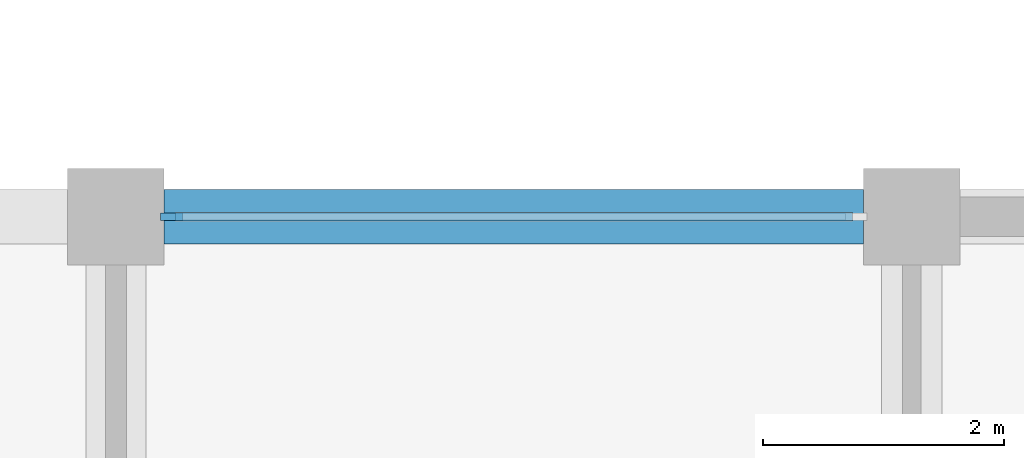
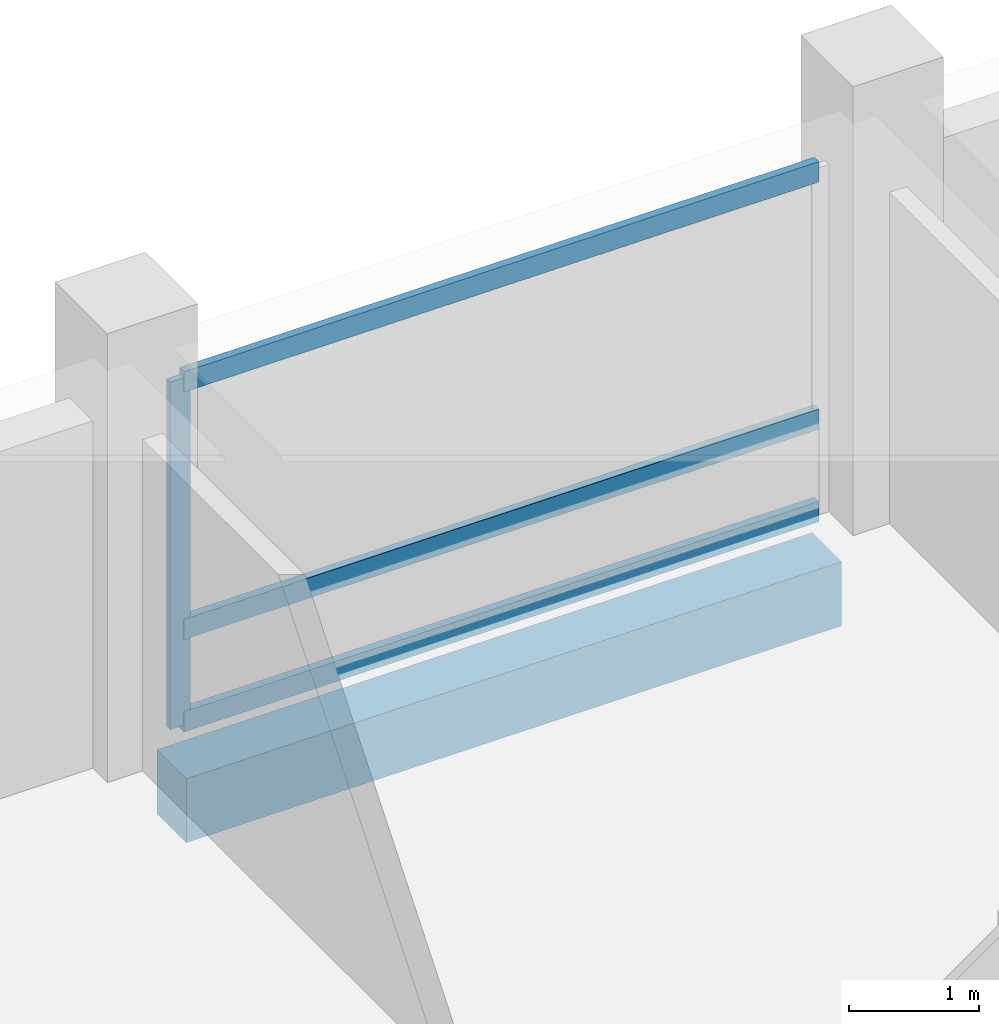
# One storey, part 3 of 30: 4 members, 1 beam, 1 element without a shape of its own.
"""IFC4 building model written with IfcOpenShell, lengths in metres."""

from ifc_helpers import new_model, si_unit, direction, frame, origin, origin_2d, place, context, subcontext, project, spatial, rectangle, extrude, material, material_profile, profile_set, type_object, element, aggregate, save


model = new_model("IFC4")

# Units and contexts
model_context = context("Model", 3, precision=1e-05, world=origin(), true_north=direction((0.0, 1.0)))
body_context = subcontext(model_context, "Body", "Model", "MODEL_VIEW")
ifc_project = project(units=[si_unit("LENGTHUNIT", "METRE"), si_unit("AREAUNIT", "SQUARE_METRE"), si_unit("VOLUMEUNIT", "CUBIC_METRE"), si_unit("PLANEANGLEUNIT", "RADIAN"), si_unit("MASSUNIT", "GRAM", prefix="KILO")], contexts=[model_context])

# Site, building, storey
site_placement = place(None, origin())
site = spatial("IfcSite", under=ifc_project, at=site_placement, CompositionType="ELEMENT")
building_placement = place(site_placement, origin())
building = spatial("IfcBuilding", under=site, at=building_placement, Name="Rusizi Kubbe Research Institute", CompositionType="ELEMENT")
storey_placement = place(building_placement, frame((0.0, 0.0, 10.199951171875)))
storey = spatial("IfcBuildingStorey", under=building, at=storey_placement, Name="L02", CompositionType="ELEMENT", Elevation=10.199951171875)

# Beam
ifc_material_1 = material(Name="Concrete C40/50", Category="concrete")
ifc_material_profile_1 = material_profile(ifc_material_1, rectangle(XDim=0.449951171875, YDim=0.60009765625, at=origin_2d()), Name="RC450x600")
ifc_profile_set_1 = profile_set([ifc_material_profile_1], Name="Concrete C40/50")
beam_type = type_object("IfcBeamType", Name="BM-RC450x600", PredefinedType="SPANDREL", material=ifc_profile_set_1)
beam_placement = place(storey_placement, frame((59.800048828125, 26.39990234375, -0.64990234375), z_axis=(1.0, 0.0, 0.0), x_axis=(0.0, 1.0, 0.0)))
element("IfcBeam", 1, at=beam_placement, inside=storey, type_object=beam_type, Name="Grid Beam H L02 (9,4)", PredefinedType="SPANDREL", context=body_context, shape_type="SweptSolid", body=[
    extrude(rectangle(XDim=0.449951171875, YDim=0.60009765625, at=origin_2d()), origin(), (0.0, 0.0, 1.0), 5.800048828125),
])

# Curtain wall, members
ifc_material_2 = material(Name="Thermally Broken Aluminium and Low-E Glazing", Category="aluminium")
curtain_wall_type = type_object("IfcCurtainWallType", Name="CW-05", PredefinedType="NOTDEFINED", material=ifc_material_2)
curtain_wall_placement = place(storey_placement, origin())
curtain_wall = element("IfcCurtainWall", 2, at=curtain_wall_placement, inside=storey, type_object=curtain_wall_type, Name="Unitised Facade Curtain Wall CW-L02-H-09-04", PredefinedType="NOTDEFINED")
ifc_material_3 = material(Name="Aluminium Alloy 6063-T6", Category="aluminium")
ifc_material_profile_2 = material_profile(ifc_material_3, rectangle(XDim=0.06005859375, YDim=0.179931640625, at=origin_2d()), Name="ALU-M 60x180")
ifc_profile_set_2 = profile_set([ifc_material_profile_2], Name="Aluminium Alloy 6063-T6")
member_type_1 = type_object("IfcMemberType", Name="ML-02", PredefinedType="MULLION", material=ifc_profile_set_2)
member_1_placement = place(storey_placement, frame((59.860107421875, 26.39990234375, 0.0), z_axis=(0.0, 0.0, 1.0), x_axis=(0.0, 1.0, 0.0)))
member_1 = element("IfcMember", 3, at=member_1_placement, type_object=member_type_1, Name="CW-05 mullion 1", PredefinedType="MULLION", context=body_context, shape_type="SweptSolid", body=[
    extrude(rectangle(XDim=0.06005859375, YDim=0.179931640625, at=origin_2d()), origin(), (0.0, 0.0, 1.0), 3.25),
])
ifc_material_4 = material(Name="Aluminium Alloy 6063-T6", Category="aluminium")
ifc_material_profile_3 = material_profile(ifc_material_4, rectangle(XDim=0.070068359375, YDim=0.18994140625, at=origin_2d()), Name="ALU-T 70x190")
ifc_profile_set_3 = profile_set([ifc_material_profile_3], Name="Aluminium Alloy 6063-T6")
member_type_2 = type_object("IfcMemberType", Name="TR-04", PredefinedType="USERDEFINED", material=ifc_profile_set_3)
member_2_placement = place(storey_placement, frame((59.889892578125, 26.39990234375, 0.03515625), z_axis=(1.0, 0.0, 0.0), x_axis=(0.0, 1.0, 0.0)))
member_2 = element("IfcMember", 4, at=member_2_placement, type_object=member_type_2, Name="CW-05 transom 1.1", ObjectType="TRANSOM", PredefinedType="USERDEFINED", context=body_context, shape_type="SweptSolid", body=[
    extrude(rectangle(XDim=0.070068359375, YDim=0.18994140625, at=origin_2d()), origin(), (0.0, 0.0, 1.0), 5.6201171875),
])
member_3_placement = place(storey_placement, frame((59.889892578125, 26.39990234375, 0.900146484375), z_axis=(1.0, 0.0, 0.0), x_axis=(0.0, 1.0, 0.0)))
member_3 = element("IfcMember", 5, at=member_3_placement, type_object=member_type_2, Name="CW-05 transom 1.2", ObjectType="TRANSOM", PredefinedType="USERDEFINED", context=body_context, shape_type="SweptSolid", body=[
    extrude(rectangle(XDim=0.070068359375, YDim=0.18994140625, at=origin_2d()), origin(), (0.0, 0.0, 1.0), 5.6201171875),
])
member_4_placement = place(storey_placement, frame((59.889892578125, 26.39990234375, 3.215087890625), z_axis=(1.0, 0.0, 0.0), x_axis=(0.0, 1.0, 0.0)))
member_4 = element("IfcMember", 6, at=member_4_placement, type_object=member_type_2, Name="CW-05 transom 1.3", ObjectType="TRANSOM", PredefinedType="USERDEFINED", context=body_context, shape_type="SweptSolid", body=[
    extrude(rectangle(XDim=0.070068359375, YDim=0.18994140625, at=origin_2d()), origin(), (0.0, 0.0, 1.0), 5.6201171875),
])
aggregate(curtain_wall, [member_1, member_2, member_3, member_4])

save(model, "model.ifc")
